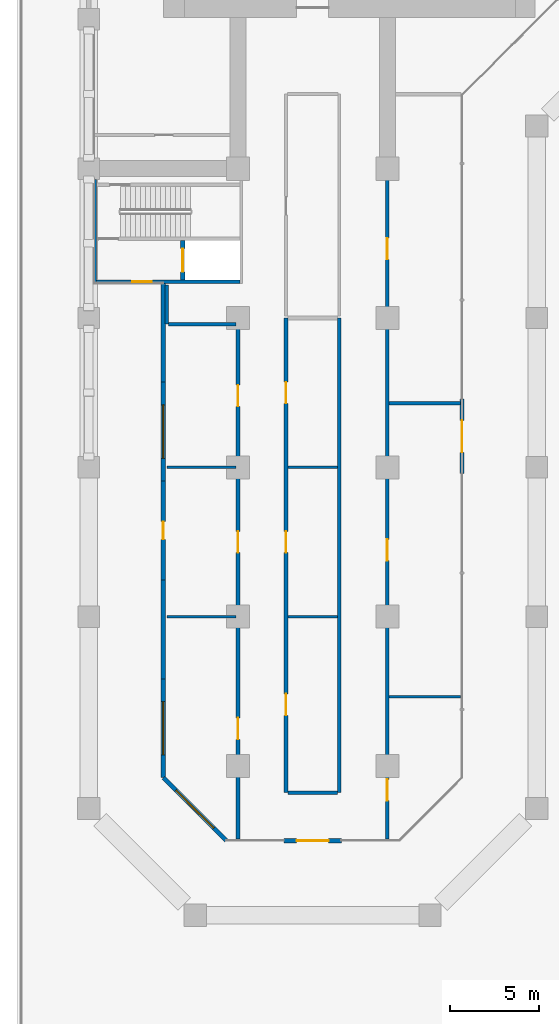
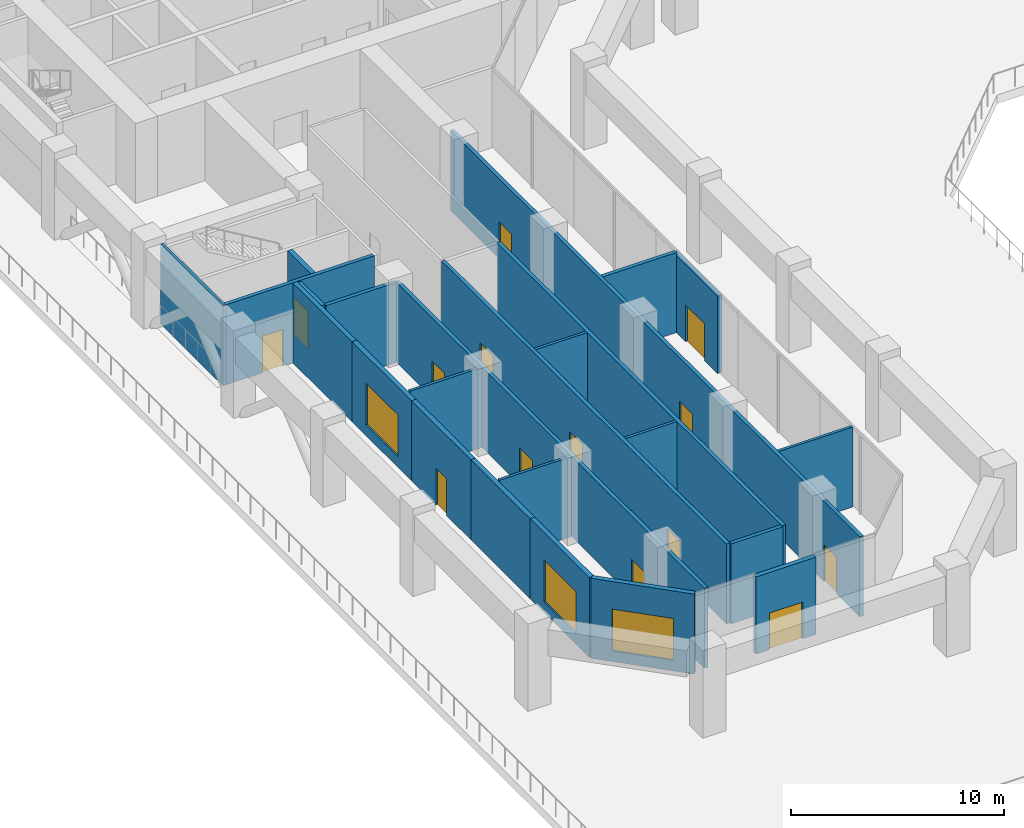
# One storey, part 6 of 19: 24 walls, 14 doors, 3 windows, 17 openings.
"""IFC4 building model written with IfcOpenShell, lengths in metres."""

from ifc_helpers import new_model, si_unit, direction, frame, frame_2d, origin, place, context, subcontext, project, spatial, rectangle, extrude, material, layer, layer_set, type_object, element, fill, save


model = new_model("IFC4")

# Units and contexts
model_context = context("Model", 3, precision=1e-05, world=origin(), true_north=direction((0.0, 1.0)))
body_context = subcontext(model_context, "Body", "Model", "MODEL_VIEW")
ifc_project = project(units=[si_unit("LENGTHUNIT", "METRE"), si_unit("AREAUNIT", "SQUARE_METRE"), si_unit("VOLUMEUNIT", "CUBIC_METRE"), si_unit("PLANEANGLEUNIT", "RADIAN"), si_unit("MASSUNIT", "GRAM", prefix="KILO")], contexts=[model_context])

# Site, building, storey
site_placement = place(None, origin())
site = spatial("IfcSite", under=ifc_project, at=site_placement, CompositionType="ELEMENT")
building_placement = place(site_placement, origin())
building = spatial("IfcBuilding", under=site, at=building_placement, Name="Kawkab Arch Medical Tower", CompositionType="ELEMENT")
storey_placement = place(building_placement, frame((0.0, 0.0, 34.199951171875)))
storey = spatial("IfcBuildingStorey", under=building, at=storey_placement, Name="L07", CompositionType="ELEMENT", Elevation=34.199951171875)

# Wall, opening, door
ifc_material_1 = material(Name="Concrete C60/75", Category="concrete")
ifc_layer_1 = layer(ifc_material_1, 0.25)
ifc_layer_set_1 = layer_set([ifc_layer_1], Name="Concrete C60/75")
wall_type_1 = type_object("IfcWallType", Name="Core shear wall 250 C60/75", PredefinedType="SHEAR", material=ifc_layer_set_1)
wall_1_placement = place(storey_placement, frame((5.300048828125, -39.85009765625, 0.0), z_axis=(0.0, 0.0, 1.0), x_axis=(0.0, 1.0, 0.0)))
wall_1 = element("IfcWall", 1, at=wall_1_placement, inside=storey, type_object=wall_type_1, Name="L07 core shear wall", PredefinedType="SHEAR", context=body_context, shape_type="SweptSolid", body=[
    extrude(rectangle(XDim=2.2001953125, YDim=0.25, at=frame_2d((1.10009765625, 0.0))), origin(), (0.0, 0.0, 1.0), 4.580078125),
])
opening_1_placement = place(wall_1_placement, frame((0.449951171875, 0.0, 0.0)))
opening_1 = element("IfcOpeningElement", 2, at=opening_1_placement, cuts=wall_1, Name="Opening LD2", PredefinedType="OPENING", context=body_context, shape_type="SweptSolid", body=[
    extrude(rectangle(XDim=1.300048828125, YDim=2.10009765625, at=frame_2d((0.64990234375, 1.050048828125))), frame((0.0, 0.135009765625, 0.0), z_axis=(0.0, -1.0, 0.0), x_axis=(1.0, 0.0, 0.0)), (0.0, 0.0, 1.0), 0.27001953125),
])
ifc_material_2 = material(Name="Stainless steel lift door leaf", Category="steel")
door_type_1 = type_object("IfcDoorType", Name="Lift landing door 1300", OperationType="DOUBLE_DOOR_SLIDING", PredefinedType="DOOR", material=ifc_material_2)
door_1_placement = place(opening_1_placement, origin())
door_1 = element("IfcDoor", 3, at=door_1_placement, inside=storey, type_object=door_type_1, Name="L07 Lift landing door SV2", OperationType="DOUBLE_DOOR_SLIDING", OverallHeight=2.10009765625, OverallWidth=1.300048828125, PredefinedType="DOOR", context=body_context, shape_type="SweptSolid", body=[
    extrude(rectangle(XDim=1.300048828125, YDim=2.10009765625, at=frame_2d((0.64990234375, 1.050048828125))), frame((0.0, 0.02490234375, 0.0), z_axis=(0.0, -1.0, 0.0), x_axis=(1.0, 0.0, 0.0)), (0.0, 0.0, 1.0), 0.050048828125),
])
fill(opening_1, door_1)

# Wall
ifc_material_3 = material(Name="Bronze clad insulated wall panel")
ifc_layer_2 = layer(ifc_material_3, 0.25)
ifc_layer_set_2 = layer_set([ifc_layer_2], Name="Bronze clad insulated wall panel")
wall_type_2 = type_object("IfcWallType", Name="External wall bay 250", PredefinedType="SOLIDWALL", material=ifc_layer_set_2)
wall_2_placement = place(storey_placement, frame((4.199951171875, -40.050048828125, 0.0), z_axis=(0.0, 0.0, 1.0), x_axis=(0.0, -1.0, 0.0)))
element("IfcWall", 4, at=wall_2_placement, inside=storey, type_object=wall_type_2, Name="Plant wall L07.R05.1", PredefinedType="SOLIDWALL", context=body_context, shape_type="SweptSolid", body=[
    extrude(rectangle(XDim=5.56201171875, YDim=0.25, at=frame_2d((2.781005859375, 0.0))), origin(), (0.0, 0.0, 1.0), 4.580078125),
])

# Wall, opening, window
wall_3_placement = place(storey_placement, frame((4.199951171875, -45.612060546875, 0.0), z_axis=(0.0, 0.0, 1.0), x_axis=(0.0, -1.0, 0.0)))
wall_3 = element("IfcWall", 5, at=wall_3_placement, inside=storey, type_object=wall_type_2, Name="Plant wall L07.R05.2", PredefinedType="SOLIDWALL", context=body_context, shape_type="SweptSolid", body=[
    extrude(rectangle(XDim=5.56201171875, YDim=0.25, at=frame_2d((2.781005859375, 0.0))), origin(), (0.0, 0.0, 1.0), 4.580078125),
])
opening_2_placement = place(wall_3_placement, frame((1.281005859375, 0.0, 0.60009765625)))
opening_2 = element("IfcOpeningElement", 6, at=opening_2_placement, cuts=wall_3, Name="Opening PW300-24-S6", PredefinedType="OPENING", context=body_context, shape_type="SweptSolid", body=[
    extrude(rectangle(XDim=3.0, YDim=2.39990234375, at=frame_2d((1.5, 1.199951171875))), frame((0.0, 0.135009765625, 0.0), z_axis=(0.0, -1.0, 0.0), x_axis=(1.0, 0.0, 0.0)), (0.0, 0.0, 1.0), 0.27001953125),
])
ifc_material_4 = material(Name="Bronze anodised aluminium louvred window", Category="aluminium")
window_type = type_object("IfcWindowType", Name="Plant louvre window 3000 x 2400 sill 600", PartitioningType="DOUBLE_PANEL_VERTICAL", PredefinedType="WINDOW", material=ifc_material_4)
window_1_placement = place(opening_2_placement, origin())
window_1 = element("IfcWindow", 7, at=window_1_placement, inside=storey, type_object=window_type, Name="Plant louvre window L07.R05.2", OverallHeight=2.39990234375, OverallWidth=3.0, PartitioningType="SINGLE_PANEL", PredefinedType="WINDOW", context=body_context, shape_type="SweptSolid", body=[
    extrude(rectangle(XDim=3.0, YDim=2.39990234375, at=frame_2d((1.5, 1.199951171875))), frame((0.0, 0.030029296875, 0.0), z_axis=(0.0, -1.0, 0.0), x_axis=(1.0, 0.0, 0.0)), (0.0, 0.0, 1.0), 0.06005859375),
])
fill(opening_2, window_1)

# Wall, opening, door
wall_4_placement = place(storey_placement, frame((4.199951171875, -51.174072265625, 0.0), z_axis=(0.0, 0.0, 1.0), x_axis=(0.0, -1.0, 0.0)))
wall_4 = element("IfcWall", 8, at=wall_4_placement, inside=storey, type_object=wall_type_2, Name="Plant wall L07.R05.3", PredefinedType="SOLIDWALL", context=body_context, shape_type="SweptSolid", body=[
    extrude(rectangle(XDim=5.56201171875, YDim=0.25, at=frame_2d((2.781005859375, 0.0))), origin(), (0.0, 0.0, 1.0), 4.580078125),
])
opening_3_placement = place(wall_4_placement, frame((2.281005859375, 0.0, 0.0)))
opening_3 = element("IfcOpeningElement", 9, at=opening_3_placement, cuts=wall_4, Name="Opening PL1A-701", PredefinedType="OPENING", context=body_context, shape_type="SweptSolid", body=[
    extrude(rectangle(XDim=1.0, YDim=2.10009765625, at=frame_2d((0.5, 1.050048828125))), frame((0.0, 0.135009765625, 0.0), z_axis=(0.0, -1.0, 0.0), x_axis=(1.0, 0.0, 0.0)), (0.0, 0.0, 1.0), 0.27001953125),
])
ifc_material_5 = material(Name="Bronze anodised aluminium door with tinted glass", Category="aluminium")
door_type_2 = type_object("IfcDoorType", Name="Single external door 1000 x 2100", OperationType="SINGLE_SWING_LEFT", PredefinedType="DOOR", material=ifc_material_5)
door_2_placement = place(opening_3_placement, origin())
door_2 = element("IfcDoor", 10, at=door_2_placement, inside=storey, type_object=door_type_2, Name="Roof terrace door L07.R05.3", OperationType="SINGLE_SWING_LEFT", OverallHeight=2.10009765625, OverallWidth=1.0, PredefinedType="DOOR", context=body_context, shape_type="SweptSolid", body=[
    extrude(rectangle(XDim=1.0, YDim=2.10009765625, at=frame_2d((0.5, 1.050048828125))), frame((0.0, 0.02490234375, 0.0), z_axis=(0.0, -1.0, 0.0), x_axis=(1.0, 0.0, 0.0)), (0.0, 0.0, 1.0), 0.050048828125),
])
fill(opening_3, door_2)

# Wall
wall_5_placement = place(storey_placement, frame((4.199951171875, -56.736083984375, 0.0), z_axis=(0.0, 0.0, 1.0), x_axis=(0.0, -1.0, 0.0)))
element("IfcWall", 11, at=wall_5_placement, inside=storey, type_object=wall_type_2, Name="Plant wall L07.R05.4", PredefinedType="SOLIDWALL", context=body_context, shape_type="SweptSolid", body=[
    extrude(rectangle(XDim=5.56201171875, YDim=0.25, at=frame_2d((2.781005859375, 0.0))), origin(), (0.0, 0.0, 1.0), 4.580078125),
])

# Wall, opening, window
wall_6_placement = place(storey_placement, frame((4.199951171875, -62.298095703125, 0.0), z_axis=(0.0, 0.0, 1.0), x_axis=(0.0, -1.0, 0.0)))
wall_6 = element("IfcWall", 12, at=wall_6_placement, inside=storey, type_object=wall_type_2, Name="Plant wall L07.R05.5", PredefinedType="SOLIDWALL", context=body_context, shape_type="SweptSolid", body=[
    extrude(rectangle(XDim=5.56201171875, YDim=0.25, at=frame_2d((2.781005859375, 0.0))), origin(), (0.0, 0.0, 1.0), 4.580078125),
])
opening_4_placement = place(wall_6_placement, frame((1.281005859375, 0.0, 0.60009765625)))
opening_4 = element("IfcOpeningElement", 13, at=opening_4_placement, cuts=wall_6, Name="Opening PW300-24-S6", PredefinedType="OPENING", context=body_context, shape_type="SweptSolid", body=[
    extrude(rectangle(XDim=3.0, YDim=2.39990234375, at=frame_2d((1.5, 1.199951171875))), frame((0.0, 0.135009765625, 0.0), z_axis=(0.0, -1.0, 0.0), x_axis=(1.0, 0.0, 0.0)), (0.0, 0.0, 1.0), 0.27001953125),
])
window_2_placement = place(opening_4_placement, origin())
window_2 = element("IfcWindow", 14, at=window_2_placement, inside=storey, type_object=window_type, Name="Plant louvre window L07.R05.5", OverallHeight=2.39990234375, OverallWidth=3.0, PartitioningType="SINGLE_PANEL", PredefinedType="WINDOW", context=body_context, shape_type="SweptSolid", body=[
    extrude(rectangle(XDim=3.0, YDim=2.39990234375, at=frame_2d((1.5, 1.199951171875))), frame((0.0, 0.030029296875, 0.0), z_axis=(0.0, -1.0, 0.0), x_axis=(1.0, 0.0, 0.0)), (0.0, 0.0, 1.0), 0.06005859375),
])
fill(opening_4, window_2)

wall_7_placement = place(storey_placement, frame((4.199951171875, -67.860107421875, 0.0), z_axis=(0.0, 0.0, 1.0), x_axis=(0.707131164599, -0.707082396933, 0.0)))
wall_7 = element("IfcWall", 15, at=wall_7_placement, inside=storey, type_object=wall_type_2, Name="Plant wall L07.R06.1", PredefinedType="SOLIDWALL", context=body_context, shape_type="SweptSolid", body=[
    extrude(rectangle(XDim=5.006103515625, YDim=0.25, at=frame_2d((2.5029296875, 0.0))), origin(), (0.0, 0.0, 1.0), 4.580078125),
])
opening_5_placement = place(wall_7_placement, frame((1.003173828125, 0.0, 0.60009765625)))
opening_5 = element("IfcOpeningElement", 16, at=opening_5_placement, cuts=wall_7, Name="Opening PW300-24-S6", PredefinedType="OPENING", context=body_context, shape_type="SweptSolid", body=[
    extrude(rectangle(XDim=3.0, YDim=2.39990234375, at=frame_2d((1.5, 1.199951171875))), frame((0.0, 0.135009765625, 0.0), z_axis=(0.0, -1.0, 0.0), x_axis=(1.0, 0.0, 0.0)), (0.0, 0.0, 1.0), 0.27001953125),
])
window_3_placement = place(opening_5_placement, origin())
window_3 = element("IfcWindow", 17, at=window_3_placement, inside=storey, type_object=window_type, Name="Plant louvre window L07.R06.1", OverallHeight=2.39990234375, OverallWidth=3.0, PartitioningType="SINGLE_PANEL", PredefinedType="WINDOW", context=body_context, shape_type="SweptSolid", body=[
    extrude(rectangle(XDim=3.0, YDim=2.39990234375, at=frame_2d((1.5, 1.199951171875))), frame((0.0, 0.030029296875, 0.0), z_axis=(0.0, -1.0, 0.0), x_axis=(1.0, 0.0, 0.0)), (0.0, 0.0, 1.0), 0.06005859375),
])
fill(opening_5, window_3)

# Wall, opening, door
wall_8_placement = place(storey_placement, frame((10.97998046875, -71.40087890625, 0.0), z_axis=(0.0, 0.0, 1.0), x_axis=(1.0, 0.0, 0.0)))
wall_8 = element("IfcWall", 18, at=wall_8_placement, inside=storey, type_object=wall_type_2, Name="External wall bay L07.R07.2.1", PredefinedType="SOLIDWALL", context=body_context, shape_type="SweptSolid", body=[
    extrude(rectangle(XDim=3.239990234375, YDim=0.25, at=frame_2d((1.6201171875, 0.0))), origin(), (0.0, 0.0, 1.0), 4.420166015625),
])
opening_6_placement = place(wall_8_placement, frame((0.719970703125, 0.0, 0.0)))
opening_6 = element("IfcOpeningElement", 19, at=opening_6_placement, cuts=wall_8, Name="Opening PL1A-702", PredefinedType="OPENING", context=body_context, shape_type="SweptSolid", body=[
    extrude(rectangle(XDim=1.800048828125, YDim=2.10009765625, at=frame_2d((0.89990234375, 1.050048828125))), frame((0.0, 0.135009765625, 0.0), z_axis=(0.0, -1.0, 0.0), x_axis=(1.0, 0.0, 0.0)), (0.0, 0.0, 1.0), 0.27001953125),
])
ifc_material_6 = material(Name="Bronze anodised aluminium door with tinted glass", Category="aluminium")
door_type_3 = type_object("IfcDoorType", Name="Double external door 1800 x 2100", OperationType="DOUBLE_DOOR_SINGLE_SWING", PredefinedType="DOOR", material=ifc_material_6)
door_3_placement = place(opening_6_placement, origin())
door_3 = element("IfcDoor", 20, at=door_3_placement, inside=storey, type_object=door_type_3, Name="External door L07.R07.2.1", OperationType="DOUBLE_DOOR_SINGLE_SWING", OverallHeight=2.10009765625, OverallWidth=1.800048828125, PredefinedType="DOOR", context=body_context, shape_type="SweptSolid", body=[
    extrude(rectangle(XDim=1.800048828125, YDim=2.10009765625, at=frame_2d((0.89990234375, 1.050048828125))), frame((0.0, 0.02490234375, 0.0), z_axis=(0.0, -1.0, 0.0), x_axis=(1.0, 0.0, 0.0)), (0.0, 0.0, 1.0), 0.050048828125),
])
fill(opening_6, door_3)

wall_9_placement = place(storey_placement, frame((21.0, -50.760009765625, 0.0), z_axis=(0.0, 0.0, 1.0), x_axis=(0.0, 1.0, 0.0)))
wall_9 = element("IfcWall", 21, at=wall_9_placement, inside=storey, type_object=wall_type_2, Name="External wall bay L07.R09.3.2", PredefinedType="SOLIDWALL", context=body_context, shape_type="SweptSolid", body=[
    extrude(rectangle(XDim=4.199951171875, YDim=0.25, at=frame_2d((2.10009765625, 0.0))), origin(), (0.0, 0.0, 1.0), 4.420166015625),
])
opening_7_placement = place(wall_9_placement, frame((1.199951171875, 0.0, 0.0)))
opening_7 = element("IfcOpeningElement", 22, at=opening_7_placement, cuts=wall_9, Name="Opening PL1A-702", PredefinedType="OPENING", context=body_context, shape_type="SweptSolid", body=[
    extrude(rectangle(XDim=1.800048828125, YDim=2.10009765625, at=frame_2d((0.89990234375, 1.050048828125))), frame((0.0, 0.135009765625, 0.0), z_axis=(0.0, -1.0, 0.0), x_axis=(1.0, 0.0, 0.0)), (0.0, 0.0, 1.0), 0.27001953125),
])
door_4_placement = place(opening_7_placement, origin())
door_4 = element("IfcDoor", 23, at=door_4_placement, inside=storey, type_object=door_type_3, Name="External door L07.R09.3.2", OperationType="DOUBLE_DOOR_SINGLE_SWING", OverallHeight=2.10009765625, OverallWidth=1.800048828125, PredefinedType="DOOR", context=body_context, shape_type="SweptSolid", body=[
    extrude(rectangle(XDim=1.800048828125, YDim=2.10009765625, at=frame_2d((0.89990234375, 1.050048828125))), frame((0.0, 0.02490234375, 0.0), z_axis=(0.0, -1.0, 0.0), x_axis=(1.0, 0.0, 0.0)), (0.0, 0.0, 1.0), 0.050048828125),
])
fill(opening_7, door_4)

# Walls
ifc_material_7 = material(Name="Gypsum board partition on steel studs, mineral wool", Category="steel")
ifc_layer_3 = layer(ifc_material_7, 0.14990234375)
ifc_layer_set_3 = layer_set([ifc_layer_3], Name="Gypsum board partition on steel studs, mineral wool")
wall_type_3 = type_object("IfcWallType", Name="Partition 150", PredefinedType="PARTITIONING", material=ifc_layer_set_3)
wall_10_placement = place(storey_placement, frame((16.89990234375, -63.300048828125, 0.0), z_axis=(0.0, 0.0, 1.0), x_axis=(1.0, 0.0, 0.0)))
element("IfcWall", 24, at=wall_10_placement, inside=storey, type_object=wall_type_3, Name="Partition 150 w001", PredefinedType="PARTITIONING", context=body_context, shape_type="SweptSolid", body=[
    extrude(rectangle(XDim=4.02001953125, YDim=0.14990234375, at=frame_2d((2.010009765625, 0.0))), origin(), (0.0, 0.0, 1.0), 4.580078125),
])
wall_11_placement = place(storey_placement, frame((4.39990234375, -58.800048828125, 0.0), z_axis=(0.0, 0.0, 1.0), x_axis=(1.0, 0.0, 0.0)))
element("IfcWall", 25, at=wall_11_placement, inside=storey, type_object=wall_type_3, Name="Partition 150 w002", PredefinedType="PARTITIONING", context=body_context, shape_type="SweptSolid", body=[
    extrude(rectangle(XDim=3.900146484375, YDim=0.14990234375, at=frame_2d((1.9501953125, 0.0))), origin(), (0.0, 0.0, 1.0), 4.580078125),
])
wall_12_placement = place(storey_placement, frame((11.199951171875, -58.800048828125, 0.0), z_axis=(0.0, 0.0, 1.0), x_axis=(1.0, 0.0, 0.0)))
element("IfcWall", 26, at=wall_12_placement, inside=storey, type_object=wall_type_3, Name="Partition 150 w003", PredefinedType="PARTITIONING", context=body_context, shape_type="SweptSolid", body=[
    extrude(rectangle(XDim=2.800048828125, YDim=0.14990234375, at=frame_2d((1.39990234375, 0.0))), origin(), (0.0, 0.0, 1.0), 4.580078125),
])
wall_13_placement = place(storey_placement, frame((4.39990234375, -50.39990234375, 0.0), z_axis=(0.0, 0.0, 1.0), x_axis=(1.0, 0.0, 0.0)))
element("IfcWall", 27, at=wall_13_placement, inside=storey, type_object=wall_type_3, Name="Partition 150 w004", PredefinedType="PARTITIONING", context=body_context, shape_type="SweptSolid", body=[
    extrude(rectangle(XDim=3.900146484375, YDim=0.14990234375, at=frame_2d((1.9501953125, 0.0))), origin(), (0.0, 0.0, 1.0), 4.580078125),
])
wall_14_placement = place(storey_placement, frame((11.199951171875, -50.39990234375, 0.0), z_axis=(0.0, 0.0, 1.0), x_axis=(1.0, 0.0, 0.0)))
element("IfcWall", 28, at=wall_14_placement, inside=storey, type_object=wall_type_3, Name="Partition 150 w005", PredefinedType="PARTITIONING", context=body_context, shape_type="SweptSolid", body=[
    extrude(rectangle(XDim=2.800048828125, YDim=0.14990234375, at=frame_2d((1.39990234375, 0.0))), origin(), (0.0, 0.0, 1.0), 4.580078125),
])
ifc_material_8 = material(Name="Fire-rated gypsum board partition on steel studs", Category="steel")
ifc_layer_4 = layer(ifc_material_8, 0.199951171875)
ifc_layer_set_4 = layer_set([ifc_layer_4], Name="Fire-rated gypsum board partition on steel studs")
wall_type_4 = type_object("IfcWallType", Name="Protected partition 200", PredefinedType="PARTITIONING", material=ifc_layer_set_4)
wall_15_placement = place(storey_placement, frame((11.202880859375, -68.699951171875, 0.0), z_axis=(0.0, 0.0, 1.0), x_axis=(1.0, 0.0, 0.0)))
element("IfcWall", 29, at=wall_15_placement, inside=storey, type_object=wall_type_4, Name="Protected partition 200 w018", PredefinedType="PARTITIONING", context=body_context, shape_type="SweptSolid", body=[
    extrude(rectangle(XDim=2.797119140625, YDim=0.199951171875, at=frame_2d((1.3984375, 0.0))), origin(), (0.0, 0.0, 1.0), 4.580078125),
])
wall_16_placement = place(storey_placement, frame((16.89990234375, -46.800048828125, 0.0), z_axis=(0.0, 0.0, 1.0), x_axis=(1.0, 0.0, 0.0)))
element("IfcWall", 30, at=wall_16_placement, inside=storey, type_object=wall_type_4, Name="Protected partition 200 w019", PredefinedType="PARTITIONING", context=body_context, shape_type="SweptSolid", body=[
    extrude(rectangle(XDim=4.02001953125, YDim=0.199951171875, at=frame_2d((2.010009765625, 0.0))), origin(), (0.0, 0.0, 1.0), 4.580078125),
])
wall_17_placement = place(storey_placement, frame((4.5009765625, -42.35009765625, 0.0), z_axis=(0.0, 0.0, 1.0), x_axis=(1.0, 0.0, 0.0)))
element("IfcWall", 31, at=wall_17_placement, inside=storey, type_object=wall_type_4, Name="Protected partition 200 w020", PredefinedType="PARTITIONING", context=body_context, shape_type="SweptSolid", body=[
    extrude(rectangle(XDim=3.797119140625, YDim=0.199951171875, at=frame_2d((1.8984375, 0.0))), origin(), (0.0, 0.0, 1.0), 4.580078125),
])
wall_18_placement = place(storey_placement, frame((4.39990234375, -42.347900390625, 0.0), z_axis=(0.0, 0.0, 1.0), x_axis=(0.0, 1.0, 0.0)))
element("IfcWall", 32, at=wall_18_placement, inside=storey, type_object=wall_type_4, Name="Protected partition 200 w033", PredefinedType="PARTITIONING", context=body_context, shape_type="SweptSolid", body=[
    extrude(rectangle(XDim=2.218017578125, YDim=0.199951171875, at=frame_2d((1.10888671875, 0.0))), origin(), (0.0, 0.0, 1.0), 4.580078125),
])

# Wall, openings, doors
wall_19_placement = place(storey_placement, frame((8.39990234375, -71.321044921875, 0.0), z_axis=(0.0, 0.0, 1.0), x_axis=(0.0, 1.0, 0.0)))
wall_19 = element("IfcWall", 33, at=wall_19_placement, inside=storey, type_object=wall_type_4, Name="Protected partition 200 w034", PredefinedType="PARTITIONING", context=body_context, shape_type="SweptSolid", body=[
    extrude(rectangle(XDim=28.968994140625, YDim=0.199951171875, at=frame_2d((14.484375, 0.0))), origin(), (0.0, 0.0, 1.0), 4.580078125),
])
opening_8_placement = place(wall_19_placement, frame((24.344970703125, 0.0, 0.0)))
opening_8 = element("IfcOpeningElement", 34, at=opening_8_placement, cuts=wall_19, Name="Opening PL1A-013", PredefinedType="OPENING", context=body_context, shape_type="SweptSolid", body=[
    extrude(rectangle(XDim=1.199951171875, YDim=2.10009765625, at=frame_2d((0.60009765625, 1.050048828125))), frame((0.0, 0.10986328125, 0.0), z_axis=(0.0, -1.0, 0.0), x_axis=(1.0, 0.0, 0.0)), (0.0, 0.0, 1.0), 0.219970703125),
])
opening_9_placement = place(wall_19_placement, frame((16.12109375, 0.0, 0.0)))
opening_9 = element("IfcOpeningElement", 35, at=opening_9_placement, cuts=wall_19, Name="Opening PL1A-014", PredefinedType="OPENING", context=body_context, shape_type="SweptSolid", body=[
    extrude(rectangle(XDim=1.199951171875, YDim=2.10009765625, at=frame_2d((0.60009765625, 1.050048828125))), frame((0.0, 0.10986328125, 0.0), z_axis=(0.0, -1.0, 0.0), x_axis=(1.0, 0.0, 0.0)), (0.0, 0.0, 1.0), 0.219970703125),
])
opening_10_placement = place(wall_19_placement, frame((5.62109375, 0.0, 0.0)))
opening_10 = element("IfcOpeningElement", 36, at=opening_10_placement, cuts=wall_19, Name="Opening PL1A-015", PredefinedType="OPENING", context=body_context, shape_type="SweptSolid", body=[
    extrude(rectangle(XDim=1.199951171875, YDim=2.10009765625, at=frame_2d((0.60009765625, 1.050048828125))), frame((0.0, 0.10986328125, 0.0), z_axis=(0.0, -1.0, 0.0), x_axis=(1.0, 0.0, 0.0)), (0.0, 0.0, 1.0), 0.219970703125),
])
ifc_material_9 = material(Name="Hollow metal door leaf")
door_type_4 = type_object("IfcDoorType", Name="Single door 1200x2100 FD60", OperationType="NOTDEFINED", PredefinedType="DOOR", material=ifc_material_9)
door_5_placement = place(opening_8_placement, origin())
door_5 = element("IfcDoor", 37, at=door_5_placement, inside=storey, type_object=door_type_4, Name="Door PL1A-013", OperationType="SINGLE_SWING_RIGHT", OverallHeight=2.10009765625, OverallWidth=1.199951171875, PredefinedType="DOOR", context=body_context, shape_type="SweptSolid", body=[
    extrude(rectangle(XDim=1.199951171875, YDim=2.10009765625, at=frame_2d((0.60009765625, 1.050048828125))), frame((0.0, 0.02490234375, 0.0), z_axis=(0.0, -1.0, 0.0), x_axis=(1.0, 0.0, 0.0)), (0.0, 0.0, 1.0), 0.050048828125),
])
fill(opening_8, door_5)
door_6_placement = place(opening_9_placement, origin())
door_6 = element("IfcDoor", 38, at=door_6_placement, inside=storey, type_object=door_type_4, Name="Door PL1A-014", OperationType="SINGLE_SWING_RIGHT", OverallHeight=2.10009765625, OverallWidth=1.199951171875, PredefinedType="DOOR", context=body_context, shape_type="SweptSolid", body=[
    extrude(rectangle(XDim=1.199951171875, YDim=2.10009765625, at=frame_2d((0.60009765625, 1.050048828125))), frame((0.0, 0.02490234375, 0.0), z_axis=(0.0, -1.0, 0.0), x_axis=(1.0, 0.0, 0.0)), (0.0, 0.0, 1.0), 0.050048828125),
])
fill(opening_9, door_6)
door_7_placement = place(opening_10_placement, origin())
door_7 = element("IfcDoor", 39, at=door_7_placement, inside=storey, type_object=door_type_4, Name="Door PL1A-015", OperationType="SINGLE_SWING_LEFT", OverallHeight=2.10009765625, OverallWidth=1.199951171875, PredefinedType="DOOR", context=body_context, shape_type="SweptSolid", body=[
    extrude(rectangle(XDim=1.199951171875, YDim=2.10009765625, at=frame_2d((0.60009765625, 1.050048828125))), frame((0.0, 0.02490234375, 0.0), z_axis=(0.0, -1.0, 0.0), x_axis=(1.0, 0.0, 0.0)), (0.0, 0.0, 1.0), 0.050048828125),
])
fill(opening_10, door_7)

wall_20_placement = place(storey_placement, frame((11.10009765625, -68.697021484375, 0.0), z_axis=(0.0, 0.0, 1.0), x_axis=(0.0, 1.0, 0.0)))
wall_20 = element("IfcWall", 40, at=wall_20_placement, inside=storey, type_object=wall_type_4, Name="Protected partition 200 w035", PredefinedType="PARTITIONING", context=body_context, shape_type="SweptSolid", body=[
    extrude(rectangle(XDim=26.697021484375, YDim=0.199951171875, at=frame_2d((13.3486328125, 0.0))), origin(), (0.0, 0.0, 1.0), 4.580078125),
])
opening_11_placement = place(wall_20_placement, frame((21.89697265625, 0.0, 0.0)))
opening_11 = element("IfcOpeningElement", 41, at=opening_11_placement, cuts=wall_20, Name="Opening PL1A-016", PredefinedType="OPENING", context=body_context, shape_type="SweptSolid", body=[
    extrude(rectangle(XDim=1.199951171875, YDim=2.10009765625, at=frame_2d((0.60009765625, 1.050048828125))), frame((0.0, 0.10986328125, 0.0), z_axis=(0.0, -1.0, 0.0), x_axis=(1.0, 0.0, 0.0)), (0.0, 0.0, 1.0), 0.219970703125),
])
opening_12_placement = place(wall_20_placement, frame((13.4970703125, 0.0, 0.0)))
opening_12 = element("IfcOpeningElement", 42, at=opening_12_placement, cuts=wall_20, Name="Opening PL1A-017", PredefinedType="OPENING", context=body_context, shape_type="SweptSolid", body=[
    extrude(rectangle(XDim=1.199951171875, YDim=2.10009765625, at=frame_2d((0.60009765625, 1.050048828125))), frame((0.0, 0.10986328125, 0.0), z_axis=(0.0, -1.0, 0.0), x_axis=(1.0, 0.0, 0.0)), (0.0, 0.0, 1.0), 0.219970703125),
])
opening_13_placement = place(wall_20_placement, frame((4.34912109375, 0.0, 0.0)))
opening_13 = element("IfcOpeningElement", 43, at=opening_13_placement, cuts=wall_20, Name="Opening PL1A-018", PredefinedType="OPENING", context=body_context, shape_type="SweptSolid", body=[
    extrude(rectangle(XDim=1.199951171875, YDim=2.10009765625, at=frame_2d((0.60009765625, 1.050048828125))), frame((0.0, 0.10986328125, 0.0), z_axis=(0.0, -1.0, 0.0), x_axis=(1.0, 0.0, 0.0)), (0.0, 0.0, 1.0), 0.219970703125),
])
door_8_placement = place(opening_11_placement, origin())
door_8 = element("IfcDoor", 44, at=door_8_placement, inside=storey, type_object=door_type_4, Name="Door PL1A-016", OperationType="SINGLE_SWING_LEFT", OverallHeight=2.10009765625, OverallWidth=1.199951171875, PredefinedType="DOOR", context=body_context, shape_type="SweptSolid", body=[
    extrude(rectangle(XDim=1.199951171875, YDim=2.10009765625, at=frame_2d((0.60009765625, 1.050048828125))), frame((0.0, 0.02490234375, 0.0), z_axis=(0.0, -1.0, 0.0), x_axis=(1.0, 0.0, 0.0)), (0.0, 0.0, 1.0), 0.050048828125),
])
fill(opening_11, door_8)
door_9_placement = place(opening_12_placement, origin())
door_9 = element("IfcDoor", 45, at=door_9_placement, inside=storey, type_object=door_type_4, Name="Door PL1A-017", OperationType="SINGLE_SWING_LEFT", OverallHeight=2.10009765625, OverallWidth=1.199951171875, PredefinedType="DOOR", context=body_context, shape_type="SweptSolid", body=[
    extrude(rectangle(XDim=1.199951171875, YDim=2.10009765625, at=frame_2d((0.60009765625, 1.050048828125))), frame((0.0, 0.02490234375, 0.0), z_axis=(0.0, -1.0, 0.0), x_axis=(1.0, 0.0, 0.0)), (0.0, 0.0, 1.0), 0.050048828125),
])
fill(opening_12, door_9)
door_10_placement = place(opening_13_placement, origin())
door_10 = element("IfcDoor", 46, at=door_10_placement, inside=storey, type_object=door_type_4, Name="Door PL1A-018", OperationType="SINGLE_SWING_RIGHT", OverallHeight=2.10009765625, OverallWidth=1.199951171875, PredefinedType="DOOR", context=body_context, shape_type="SweptSolid", body=[
    extrude(rectangle(XDim=1.199951171875, YDim=2.10009765625, at=frame_2d((0.60009765625, 1.050048828125))), frame((0.0, 0.02490234375, 0.0), z_axis=(0.0, -1.0, 0.0), x_axis=(1.0, 0.0, 0.0)), (0.0, 0.0, 1.0), 0.050048828125),
])
fill(opening_13, door_10)

# Wall
wall_21_placement = place(storey_placement, frame((14.10009765625, -68.699951171875, 0.0), z_axis=(0.0, 0.0, 1.0), x_axis=(0.0, 1.0, 0.0)))
element("IfcWall", 47, at=wall_21_placement, inside=storey, type_object=wall_type_4, Name="Protected partition 200 w036", PredefinedType="PARTITIONING", context=body_context, shape_type="SweptSolid", body=[
    extrude(rectangle(XDim=26.699951171875, YDim=0.199951171875, at=frame_2d((13.35009765625, 0.0))), origin(), (0.0, 0.0, 1.0), 4.580078125),
])

# Wall, openings, doors
wall_22_placement = place(storey_placement, frame((16.800048828125, -71.321044921875, 0.0), z_axis=(0.0, 0.0, 1.0), x_axis=(0.0, 1.0, 0.0)))
wall_22 = element("IfcWall", 48, at=wall_22_placement, inside=storey, type_object=wall_type_4, Name="Protected partition 200 w037", PredefinedType="PARTITIONING", context=body_context, shape_type="SweptSolid", body=[
    extrude(rectangle(XDim=38.37109375, YDim=0.199951171875, at=frame_2d((19.185546875, 0.0))), origin(), (0.0, 0.0, 1.0), 4.580078125),
])
opening_14_placement = place(wall_22_placement, frame((32.62109375, 0.0, 0.0)))
opening_14 = element("IfcOpeningElement", 49, at=opening_14_placement, cuts=wall_22, Name="Opening PL1A-022", PredefinedType="OPENING", context=body_context, shape_type="SweptSolid", body=[
    extrude(rectangle(XDim=1.199951171875, YDim=2.10009765625, at=frame_2d((0.60009765625, 1.050048828125))), frame((0.0, 0.10986328125, 0.0), z_axis=(0.0, -1.0, 0.0), x_axis=(1.0, 0.0, 0.0)), (0.0, 0.0, 1.0), 0.219970703125),
])
opening_15_placement = place(wall_22_placement, frame((15.6708984375, 0.0, 0.0)))
opening_15 = element("IfcOpeningElement", 50, at=opening_15_placement, cuts=wall_22, Name="Opening PL1A-019", PredefinedType="OPENING", context=body_context, shape_type="SweptSolid", body=[
    extrude(rectangle(XDim=1.199951171875, YDim=2.10009765625, at=frame_2d((0.60009765625, 1.050048828125))), frame((0.0, 0.10986328125, 0.0), z_axis=(0.0, -1.0, 0.0), x_axis=(1.0, 0.0, 0.0)), (0.0, 0.0, 1.0), 0.219970703125),
])
opening_16_placement = place(wall_22_placement, frame((2.169921875, 0.0, 0.0)))
opening_16 = element("IfcOpeningElement", 51, at=opening_16_placement, cuts=wall_22, Name="Opening PL1A-020", PredefinedType="OPENING", context=body_context, shape_type="SweptSolid", body=[
    extrude(rectangle(XDim=1.199951171875, YDim=2.10009765625, at=frame_2d((0.60009765625, 1.050048828125))), frame((0.0, 0.10986328125, 0.0), z_axis=(0.0, -1.0, 0.0), x_axis=(1.0, 0.0, 0.0)), (0.0, 0.0, 1.0), 0.219970703125),
])
door_11_placement = place(opening_15_placement, origin())
door_11 = element("IfcDoor", 52, at=door_11_placement, inside=storey, type_object=door_type_4, Name="Door PL1A-019", OperationType="SINGLE_SWING_RIGHT", OverallHeight=2.10009765625, OverallWidth=1.199951171875, PredefinedType="DOOR", context=body_context, shape_type="SweptSolid", body=[
    extrude(rectangle(XDim=1.199951171875, YDim=2.10009765625, at=frame_2d((0.60009765625, 1.050048828125))), frame((0.0, 0.02490234375, 0.0), z_axis=(0.0, -1.0, 0.0), x_axis=(1.0, 0.0, 0.0)), (0.0, 0.0, 1.0), 0.050048828125),
])
fill(opening_15, door_11)
door_12_placement = place(opening_16_placement, origin())
door_12 = element("IfcDoor", 53, at=door_12_placement, inside=storey, type_object=door_type_4, Name="Door PL1A-020", OperationType="SINGLE_SWING_RIGHT", OverallHeight=2.10009765625, OverallWidth=1.199951171875, PredefinedType="DOOR", context=body_context, shape_type="SweptSolid", body=[
    extrude(rectangle(XDim=1.199951171875, YDim=2.10009765625, at=frame_2d((0.60009765625, 1.050048828125))), frame((0.0, 0.02490234375, 0.0), z_axis=(0.0, -1.0, 0.0), x_axis=(1.0, 0.0, 0.0)), (0.0, 0.0, 1.0), 0.050048828125),
])
fill(opening_16, door_12)
ifc_material_10 = material(Name="Hollow metal door leaf")
door_type_5 = type_object("IfcDoorType", Name="Single door 1200x2100 FD90", OperationType="NOTDEFINED", PredefinedType="DOOR", material=ifc_material_10)
door_13_placement = place(opening_14_placement, origin())
door_13 = element("IfcDoor", 54, at=door_13_placement, inside=storey, type_object=door_type_5, Name="Door PL1A-022", OperationType="SINGLE_SWING_LEFT", OverallHeight=2.10009765625, OverallWidth=1.199951171875, PredefinedType="DOOR", context=body_context, shape_type="SweptSolid", body=[
    extrude(rectangle(XDim=1.199951171875, YDim=2.10009765625, at=frame_2d((0.60009765625, 1.050048828125))), frame((0.0, 0.02490234375, 0.0), z_axis=(0.0, -1.0, 0.0), x_axis=(1.0, 0.0, 0.0)), (0.0, 0.0, 1.0), 0.050048828125),
])
fill(opening_14, door_13)

# Wall
ifc_material_11 = material(Name="Concrete C50/60", Category="concrete")
ifc_layer_5 = layer(ifc_material_11, 0.14990234375)
ifc_layer_set_5 = layer_set([ifc_layer_5], Name="Concrete C50/60")
wall_type_5 = type_object("IfcWallType", Name="Stair enclosure wall 150 C50/60", PredefinedType="SHEAR", material=ifc_layer_set_5)
wall_23_placement = place(storey_placement, frame((0.375, -40.050048828125, 0.0), z_axis=(0.0, 0.0, 1.0), x_axis=(0.0, 1.0, 0.0)))
element("IfcWall", 55, at=wall_23_placement, inside=storey, type_object=wall_type_5, Name="L07 stair enclosure wall", PredefinedType="SHEAR", context=body_context, shape_type="SweptSolid", body=[
    extrude(rectangle(XDim=5.85009765625, YDim=0.14990234375, at=frame_2d((2.925048828125, 0.0))), origin(), (0.0, 0.0, 1.0), 4.580078125),
])

# Wall, opening, door
ifc_material_12 = material(Name="Concrete C50/60", Category="concrete")
ifc_layer_6 = layer(ifc_material_12, 0.199951171875)
ifc_layer_set_6 = layer_set([ifc_layer_6], Name="Concrete C50/60")
wall_type_6 = type_object("IfcWallType", Name="Stair enclosure wall 200 C50/60", PredefinedType="SHEAR", material=ifc_layer_set_6)
wall_24_placement = place(storey_placement, frame((0.449951171875, -39.949951171875, 0.0), z_axis=(0.0, 0.0, 1.0), x_axis=(1.0, 0.0, 0.0)))
wall_24 = element("IfcWall", 56, at=wall_24_placement, inside=storey, type_object=wall_type_6, Name="L07 stair enclosure wall", PredefinedType="SHEAR", context=body_context, shape_type="SweptSolid", body=[
    extrude(rectangle(XDim=8.050048828125, YDim=0.199951171875, at=frame_2d((4.02490234375, 0.0))), origin(), (0.0, 0.0, 1.0), 4.580078125),
])
opening_17_placement = place(wall_24_placement, frame((2.0, 0.0, 0.0)))
opening_17 = element("IfcOpeningElement", 57, at=opening_17_placement, cuts=wall_24, Name="Opening FD", PredefinedType="OPENING", context=body_context, shape_type="SweptSolid", body=[
    extrude(rectangle(XDim=1.10009765625, YDim=2.10009765625, at=frame_2d((0.550048828125, 1.050048828125))), frame((0.0, 0.10986328125, 0.0), z_axis=(0.0, -1.0, 0.0), x_axis=(1.0, 0.0, 0.0)), (0.0, 0.0, 1.0), 0.219970703125),
])
ifc_material_13 = material(Name="Hollow metal fire door leaf")
door_type_6 = type_object("IfcDoorType", Name="Firefighting lobby door 1100", OperationType="SINGLE_SWING_LEFT", PredefinedType="DOOR", material=ifc_material_13)
door_14_placement = place(opening_17_placement, origin())
door_14 = element("IfcDoor", 58, at=door_14_placement, inside=storey, type_object=door_type_6, Name="L07 Service lift lobby door SV2", OperationType="SINGLE_SWING_LEFT", OverallHeight=2.10009765625, OverallWidth=1.10009765625, PredefinedType="DOOR", context=body_context, shape_type="SweptSolid", body=[
    extrude(rectangle(XDim=1.10009765625, YDim=2.10009765625, at=frame_2d((0.550048828125, 1.050048828125))), frame((0.0, 0.02490234375, 0.0), z_axis=(0.0, -1.0, 0.0), x_axis=(1.0, 0.0, 0.0)), (0.0, 0.0, 1.0), 0.050048828125),
])
fill(opening_17, door_14)

save(model, "model.ifc")
